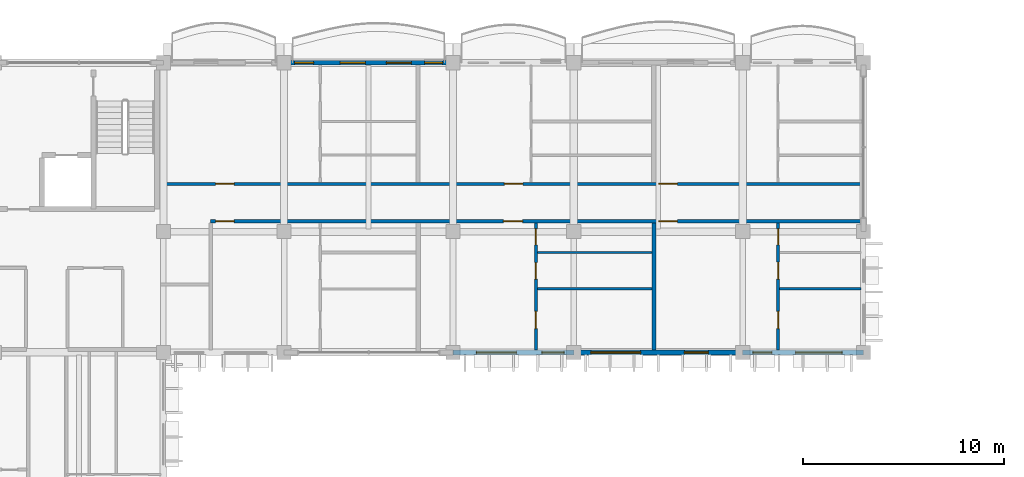
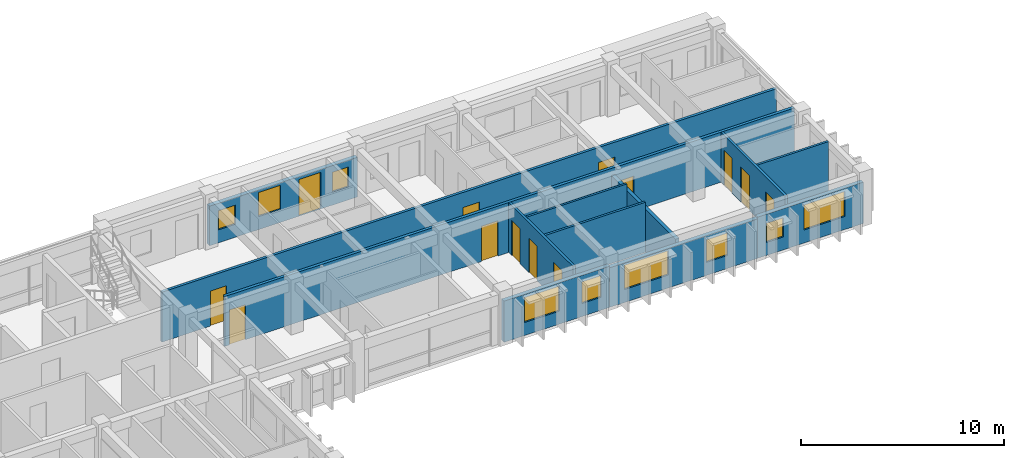
# One storey, part 35 of 79: 13 doors, 12 walls, 9 windows, 22 openings.
"""IFC4 building model written with IfcOpenShell, lengths in metres."""

from ifc_helpers import new_model, si_unit, direction, frame, frame_2d, origin, place, context, subcontext, project, spatial, rectangle, extrude, material, layer, layer_set, type_object, element, fill, save


model = new_model("IFC4")

# Units and contexts
model_context = context("Model", 3, precision=1e-05, world=origin(), true_north=direction((0.0, 1.0)))
body_context = subcontext(model_context, "Body", "Model", "MODEL_VIEW")
ifc_project = project(units=[si_unit("LENGTHUNIT", "METRE"), si_unit("AREAUNIT", "SQUARE_METRE"), si_unit("VOLUMEUNIT", "CUBIC_METRE"), si_unit("PLANEANGLEUNIT", "RADIAN"), si_unit("MASSUNIT", "GRAM", prefix="KILO"), si_unit("THERMODYNAMICTEMPERATUREUNIT", "KELVIN")], contexts=[model_context])

# Site, building, storey
site_placement = place(None, origin())
site = spatial("IfcSite", under=ifc_project, at=site_placement, CompositionType="ELEMENT")
building_placement = place(site_placement, origin())
building = spatial("IfcBuilding", under=site, at=building_placement, Name="Thalorik Housing Commons", CompositionType="ELEMENT")
storey_placement = place(building_placement, frame((0.0, 0.0, 11.39990234375)))
storey = spatial("IfcBuildingStorey", under=building, at=storey_placement, Name="L03", CompositionType="ELEMENT", Elevation=11.39990234375)

# Wall, openings, doors
ifc_material_1 = material(Name="Masonry fire-rated corridor wall", Category="masonry")
ifc_layer_1 = layer(ifc_material_1, 0.14990234375, Name="Masonry fire-rated corridor wall", Category="masonry")
ifc_layer_set_1 = layer_set([ifc_layer_1], Name="Masonry fire-rated corridor wall")
wall_type_1 = type_object("IfcWallType", Name="ARC-WAL-CORR-150", PredefinedType="PARTITIONING", material=ifc_layer_set_1)
wall_1_placement = place(storey_placement, frame((22.659912109375, 117.580078125, 0.0), z_axis=(0.0, 0.0, 1.0), x_axis=(1.0, 0.0, 0.0)))
wall_1 = element("IfcWall", 1, at=wall_1_placement, inside=storey, type_object=wall_type_1, Name="L03 Block A N Corridor Wall 2", PredefinedType="PARTITIONING", context=body_context, shape_type="SweptSolid", body=[
    extrude(rectangle(XDim=34.880126953125, YDim=0.14990234375, at=frame_2d((17.43994140625, 0.0))), origin(), (0.0, 0.0, 1.0), 3.0),
])
opening_1_placement = place(wall_1_placement, frame((2.739990234375, 0.0, 0.0)))
opening_1 = element("IfcOpeningElement", 2, at=opening_1_placement, cuts=wall_1, Name="Opening ID-0522", PredefinedType="OPENING", context=body_context, shape_type="SweptSolid", body=[
    extrude(rectangle(XDim=0.919921875, YDim=2.10009765625, at=frame_2d((0.4599609375, 1.050048828125))), frame((0.0, 0.0849609375, 0.0), z_axis=(0.0, -1.0, 0.0), x_axis=(1.0, 0.0, 0.0)), (0.0, 0.0, 1.0), 0.169921875),
])
opening_2_placement = place(wall_1_placement, frame((17.08544921875, 0.0, 0.0)))
opening_2 = element("IfcOpeningElement", 3, at=opening_2_placement, cuts=wall_1, Name="Opening ID-0523", PredefinedType="OPENING", context=body_context, shape_type="SweptSolid", body=[
    extrude(rectangle(XDim=0.919921875, YDim=2.10009765625, at=frame_2d((0.4599609375, 1.050048828125))), frame((0.0, 0.0849609375, 0.0), z_axis=(0.0, -1.0, 0.0), x_axis=(1.0, 0.0, 0.0)), (0.0, 0.0, 1.0), 0.169921875),
])
opening_3_placement = place(wall_1_placement, frame((24.77001953125, 0.0, 0.0)))
opening_3 = element("IfcOpeningElement", 4, at=opening_3_placement, cuts=wall_1, Name="Opening ID-0524", PredefinedType="OPENING", context=body_context, shape_type="SweptSolid", body=[
    extrude(rectangle(XDim=0.919921875, YDim=2.10009765625, at=frame_2d((0.4599609375, 1.050048828125))), frame((0.0, 0.0849609375, 0.0), z_axis=(0.0, -1.0, 0.0), x_axis=(1.0, 0.0, 0.0)), (0.0, 0.0, 1.0), 0.169921875),
])
ifc_material_2 = material(Name="Solid core hardwood timber", Category="wood")
door_type_1 = type_object("IfcDoorType", Name="ARC-DR-FD30-920", OperationType="NOTDEFINED", PredefinedType="DOOR", material=ifc_material_2)
door_1_placement = place(opening_1_placement, origin())
door_1 = element("IfcDoor", 5, at=door_1_placement, inside=storey, type_object=door_type_1, Name="L03 Flat AN-1B Entrance Door", OperationType="SINGLE_SWING_LEFT", OverallHeight=2.10009765625, OverallWidth=0.919921875, PredefinedType="DOOR", context=body_context, shape_type="SweptSolid", body=[
    extrude(rectangle(XDim=0.919921875, YDim=2.10009765625, at=frame_2d((0.4599609375, 1.050048828125))), frame((0.0, 0.02490234375, 0.0), z_axis=(0.0, -1.0, 0.0), x_axis=(1.0, 0.0, 0.0)), (0.0, 0.0, 1.0), 0.050048828125),
])
fill(opening_1, door_1)
door_2_placement = place(opening_2_placement, origin())
door_2 = element("IfcDoor", 6, at=door_2_placement, inside=storey, type_object=door_type_1, Name="L03 Flat AN-2B Entrance Door", OperationType="SINGLE_SWING_RIGHT", OverallHeight=2.10009765625, OverallWidth=0.919921875, PredefinedType="DOOR", context=body_context, shape_type="SweptSolid", body=[
    extrude(rectangle(XDim=0.919921875, YDim=2.10009765625, at=frame_2d((0.4599609375, 1.050048828125))), frame((0.0, 0.02490234375, 0.0), z_axis=(0.0, -1.0, 0.0), x_axis=(1.0, 0.0, 0.0)), (0.0, 0.0, 1.0), 0.050048828125),
])
fill(opening_2, door_2)
door_3_placement = place(opening_3_placement, origin())
door_3 = element("IfcDoor", 7, at=door_3_placement, inside=storey, type_object=door_type_1, Name="L03 Flat AN-3B Entrance Door", OperationType="SINGLE_SWING_LEFT", OverallHeight=2.10009765625, OverallWidth=0.919921875, PredefinedType="DOOR", context=body_context, shape_type="SweptSolid", body=[
    extrude(rectangle(XDim=0.919921875, YDim=2.10009765625, at=frame_2d((0.4599609375, 1.050048828125))), frame((0.0, 0.02490234375, 0.0), z_axis=(0.0, -1.0, 0.0), x_axis=(1.0, 0.0, 0.0)), (0.0, 0.0, 1.0), 0.050048828125),
])
fill(opening_3, door_3)

ifc_layer_2 = layer(ifc_material_1, 0.1650390625, Name="Masonry fire-rated corridor wall", Category="masonry")
ifc_layer_set_2 = layer_set([ifc_layer_2], Name="Masonry fire-rated corridor wall")
wall_type_2 = type_object("IfcWallType", Name="ARC-WAL-CORR-165", PredefinedType="PARTITIONING", material=ifc_layer_set_2)
wall_2_placement = place(storey_placement, frame((25.14990234375, 115.719970703125, 0.0), z_axis=(0.0, 0.0, 1.0), x_axis=(1.0, 0.0, 0.0)))
wall_2 = element("IfcWall", 8, at=wall_2_placement, inside=storey, type_object=wall_type_2, Name="L03 Block A N Corridor Wall 1", PredefinedType="PARTITIONING", context=body_context, shape_type="SweptSolid", body=[
    extrude(rectangle(XDim=32.33056640625, YDim=0.1650390625, at=frame_2d((16.165283203125, 0.0))), origin(), (0.0, 0.0, 1.0), 3.0),
])
opening_4_placement = place(wall_2_placement, frame((0.25, 0.0, 0.0)))
opening_4 = element("IfcOpeningElement", 9, at=opening_4_placement, cuts=wall_2, Name="Opening ID-0519", PredefinedType="OPENING", context=body_context, shape_type="SweptSolid", body=[
    extrude(rectangle(XDim=0.919921875, YDim=2.10009765625, at=frame_2d((0.4599609375, 1.050048828125))), frame((0.0, 0.092529296875, 0.0), z_axis=(0.0, -1.0, 0.0), x_axis=(1.0, 0.0, 0.0)), (0.0, 0.0, 1.0), 0.18505859375),
])
opening_5_placement = place(wall_2_placement, frame((14.547607421875, 0.0, 0.0)))
opening_5 = element("IfcOpeningElement", 10, at=opening_5_placement, cuts=wall_2, Name="Opening ID-0520", PredefinedType="OPENING", context=body_context, shape_type="SweptSolid", body=[
    extrude(rectangle(XDim=0.9599609375, YDim=2.1201171875, at=frame_2d((0.47998046875, 1.06005859375))), frame((0.0, 0.092529296875, 0.0), z_axis=(0.0, -1.0, 0.0), x_axis=(1.0, 0.0, 0.0)), (0.0, 0.0, 1.0), 0.18505859375),
])
opening_6_placement = place(wall_2_placement, frame((22.280029296875, 0.0, 0.0)))
opening_6 = element("IfcOpeningElement", 11, at=opening_6_placement, cuts=wall_2, Name="Opening ID-0521", PredefinedType="OPENING", context=body_context, shape_type="SweptSolid", body=[
    extrude(rectangle(XDim=0.919921875, YDim=2.10009765625, at=frame_2d((0.4599609375, 1.050048828125))), frame((0.0, 0.092529296875, 0.0), z_axis=(0.0, -1.0, 0.0), x_axis=(1.0, 0.0, 0.0)), (0.0, 0.0, 1.0), 0.18505859375),
])
door_4_placement = place(opening_4_placement, origin())
door_4 = element("IfcDoor", 12, at=door_4_placement, inside=storey, type_object=door_type_1, Name="L03 Flat AN-1A Entrance Door", OperationType="SINGLE_SWING_RIGHT", OverallHeight=2.10009765625, OverallWidth=0.919921875, PredefinedType="DOOR", context=body_context, shape_type="SweptSolid", body=[
    extrude(rectangle(XDim=0.919921875, YDim=2.10009765625, at=frame_2d((0.4599609375, 1.050048828125))), frame((0.0, 0.02490234375, 0.0), z_axis=(0.0, -1.0, 0.0), x_axis=(1.0, 0.0, 0.0)), (0.0, 0.0, 1.0), 0.050048828125),
])
fill(opening_4, door_4)
door_5_placement = place(opening_6_placement, origin())
door_5 = element("IfcDoor", 13, at=door_5_placement, inside=storey, type_object=door_type_1, Name="L03 Flat AN-3A Entrance Door", OperationType="SINGLE_SWING_RIGHT", OverallHeight=2.10009765625, OverallWidth=0.919921875, PredefinedType="DOOR", context=body_context, shape_type="SweptSolid", body=[
    extrude(rectangle(XDim=0.919921875, YDim=2.10009765625, at=frame_2d((0.4599609375, 1.050048828125))), frame((0.0, 0.02490234375, 0.0), z_axis=(0.0, -1.0, 0.0), x_axis=(1.0, 0.0, 0.0)), (0.0, 0.0, 1.0), 0.050048828125),
])
fill(opening_6, door_5)
door_type_2 = type_object("IfcDoorType", Name="ARC-DR-FD30-960", OperationType="NOTDEFINED", PredefinedType="DOOR", material=ifc_material_2)
door_6_placement = place(opening_5_placement, origin())
door_6 = element("IfcDoor", 14, at=door_6_placement, inside=storey, type_object=door_type_2, Name="L03 Flat AN-2A Entrance Door", OperationType="SINGLE_SWING_LEFT", OverallHeight=2.1201171875, OverallWidth=0.9599609375, PredefinedType="DOOR", context=body_context, shape_type="SweptSolid", body=[
    extrude(rectangle(XDim=0.9599609375, YDim=2.1201171875, at=frame_2d((0.47998046875, 1.06005859375))), frame((0.0, 0.02490234375, 0.0), z_axis=(0.0, -1.0, 0.0), x_axis=(1.0, 0.0, 0.0)), (0.0, 0.0, 1.0), 0.050048828125),
])
fill(opening_5, door_6)

# Wall, openings, windows
ifc_material_3 = material(Name="White precast concrete C40/50", Category="concrete")
ifc_layer_3 = layer(ifc_material_3, 0.235107421875, Name="White precast concrete C40/50", Category="concrete")
ifc_layer_set_3 = layer_set([ifc_layer_3], Name="White precast concrete C40/50")
wall_type_3 = type_object("IfcWallType", Name="ARC-WAL-EXT-235", PredefinedType="STANDARD", material=ifc_layer_set_3)
wall_3_placement = place(storey_placement, frame((37.199951171875, 109.199951171875, 0.0), z_axis=(0.0, 0.0, 1.0), x_axis=(1.0, 0.0, 0.0)))
wall_3 = element("IfcWall", 15, at=wall_3_placement, inside=storey, type_object=wall_type_3, Name="L03 Exterior Wall WAL-EXT-L03-A-0087", PredefinedType="STANDARD", context=body_context, shape_type="SweptSolid", body=[
    extrude(rectangle(XDim=6.0, YDim=0.235107421875, at=frame_2d((3.0, 0.0))), origin(), (0.0, 0.0, 1.0), 2.47509765625),
])
opening_7_placement = place(wall_3_placement, frame((1.1650390625, 0.0, 0.780029296875)))
opening_7 = element("IfcOpeningElement", 16, at=opening_7_placement, cuts=wall_3, Name="Opening W-61", PredefinedType="OPENING", context=body_context, shape_type="SweptSolid", body=[
    extrude(rectangle(XDim=1.97998046875, YDim=1.5, at=frame_2d((0.989990234375, 0.75))), frame((0.0, 0.12744140625, 0.0), z_axis=(0.0, -1.0, 0.0), x_axis=(1.0, 0.0, 0.0)), (0.0, 0.0, 1.0), 0.255126953125),
])
opening_8_placement = place(wall_3_placement, frame((4.4150390625, 0.0, 0.780029296875)))
opening_8 = element("IfcOpeningElement", 17, at=opening_8_placement, cuts=wall_3, Name="Opening W-03", PredefinedType="OPENING", context=body_context, shape_type="SweptSolid", body=[
    extrude(rectangle(XDim=1.10009765625, YDim=1.300048828125, at=frame_2d((0.550048828125, 0.64990234375))), frame((0.0, 0.12744140625, 0.0), z_axis=(0.0, -1.0, 0.0), x_axis=(1.0, 0.0, 0.0)), (0.0, 0.0, 1.0), 0.255126953125),
])
ifc_material_4 = material(Name="Anodised aluminium and solar-control low-E glass", Category="aluminium")
window_type_1 = type_object("IfcWindowType", Name="ARC-WIN-03", PartitioningType="SINGLE_PANEL", PredefinedType="WINDOW", material=ifc_material_4)
window_1_placement = place(opening_8_placement, origin())
window_1 = element("IfcWindow", 18, at=window_1_placement, inside=storey, type_object=window_type_1, Name="L03 Facade Window 156", OverallHeight=1.300048828125, OverallWidth=1.10009765625, PartitioningType="SINGLE_PANEL", PredefinedType="WINDOW", context=body_context, shape_type="SweptSolid", body=[
    extrude(rectangle(XDim=1.10009765625, YDim=1.300048828125, at=frame_2d((0.550048828125, 0.64990234375))), frame((0.0, 0.030029296875, 0.0), z_axis=(0.0, -1.0, 0.0), x_axis=(1.0, 0.0, 0.0)), (0.0, 0.0, 1.0), 0.06005859375),
])
fill(opening_8, window_1)
window_type_2 = type_object("IfcWindowType", Name="ARC-WIN-61", PartitioningType="DOUBLE_PANEL_VERTICAL", PredefinedType="WINDOW", material=ifc_material_4)
window_2_placement = place(opening_7_placement, origin())
window_2 = element("IfcWindow", 19, at=window_2_placement, inside=storey, type_object=window_type_2, Name="L03 Facade Window 155", OverallHeight=1.5, OverallWidth=1.97998046875, PartitioningType="DOUBLE_PANEL_VERTICAL", PredefinedType="WINDOW", context=body_context, shape_type="SweptSolid", body=[
    extrude(rectangle(XDim=1.97998046875, YDim=1.5, at=frame_2d((0.989990234375, 0.75))), frame((0.0, 0.030029296875, 0.0), z_axis=(0.0, -1.0, 0.0), x_axis=(1.0, 0.0, 0.0)), (0.0, 0.0, 1.0), 0.06005859375),
])
fill(opening_7, window_2)

wall_4_placement = place(storey_placement, frame((43.199951171875, 109.199951171875, 0.0), z_axis=(0.0, 0.0, 1.0), x_axis=(1.0, 0.0, 0.0)))
wall_4 = element("IfcWall", 20, at=wall_4_placement, inside=storey, type_object=wall_type_3, Name="L03 Exterior Wall WAL-EXT-L03-A-0088", PredefinedType="STANDARD", context=body_context, shape_type="SweptSolid", body=[
    extrude(rectangle(XDim=8.400146484375, YDim=0.235107421875, at=frame_2d((4.2001953125, 0.0))), origin(), (0.0, 0.0, 1.0), 2.375),
])
opening_9_placement = place(wall_4_placement, frame((0.844970703125, 0.0, 0.780029296875)))
opening_9 = element("IfcOpeningElement", 21, at=opening_9_placement, cuts=wall_4, Name="Opening W-71", PredefinedType="OPENING", context=body_context, shape_type="SweptSolid", body=[
    extrude(rectangle(XDim=2.47998046875, YDim=1.4599609375, at=frame_2d((1.239990234375, 0.72998046875))), frame((0.0, 0.12744140625, 0.0), z_axis=(0.0, -1.0, 0.0), x_axis=(1.0, 0.0, 0.0)), (0.0, 0.0, 1.0), 0.255126953125),
])
opening_10_placement = place(wall_4_placement, frame((5.4951171875, 0.0, 0.780029296875)))
opening_10 = element("IfcOpeningElement", 22, at=opening_10_placement, cuts=wall_4, Name="Opening W-04", PredefinedType="OPENING", context=body_context, shape_type="SweptSolid", body=[
    extrude(rectangle(XDim=1.199951171875, YDim=1.35009765625, at=frame_2d((0.60009765625, 0.675048828125))), frame((0.0, 0.12744140625, 0.0), z_axis=(0.0, -1.0, 0.0), x_axis=(1.0, 0.0, 0.0)), (0.0, 0.0, 1.0), 0.255126953125),
])
window_type_3 = type_object("IfcWindowType", Name="ARC-WIN-04", PartitioningType="SINGLE_PANEL", PredefinedType="WINDOW", material=ifc_material_4)
window_3_placement = place(opening_10_placement, origin())
window_3 = element("IfcWindow", 23, at=window_3_placement, inside=storey, type_object=window_type_3, Name="L03 Facade Window 158", OverallHeight=1.35009765625, OverallWidth=1.199951171875, PartitioningType="SINGLE_PANEL", PredefinedType="WINDOW", context=body_context, shape_type="SweptSolid", body=[
    extrude(rectangle(XDim=1.199951171875, YDim=1.35009765625, at=frame_2d((0.60009765625, 0.675048828125))), frame((0.0, 0.030029296875, 0.0), z_axis=(0.0, -1.0, 0.0), x_axis=(1.0, 0.0, 0.0)), (0.0, 0.0, 1.0), 0.06005859375),
])
fill(opening_10, window_3)
window_type_4 = type_object("IfcWindowType", Name="ARC-WIN-71", PartitioningType="DOUBLE_PANEL_VERTICAL", PredefinedType="WINDOW", material=ifc_material_4)
window_4_placement = place(opening_9_placement, origin())
window_4 = element("IfcWindow", 24, at=window_4_placement, inside=storey, type_object=window_type_4, Name="L03 Facade Window 157", OverallHeight=1.4599609375, OverallWidth=2.47998046875, PartitioningType="DOUBLE_PANEL_VERTICAL", PredefinedType="WINDOW", context=body_context, shape_type="SweptSolid", body=[
    extrude(rectangle(XDim=2.47998046875, YDim=1.4599609375, at=frame_2d((1.239990234375, 0.72998046875))), frame((0.0, 0.030029296875, 0.0), z_axis=(0.0, -1.0, 0.0), x_axis=(1.0, 0.0, 0.0)), (0.0, 0.0, 1.0), 0.06005859375),
])
fill(opening_9, window_4)

wall_5_placement = place(storey_placement, frame((51.60009765625, 109.199951171875, 0.0), z_axis=(0.0, 0.0, 1.0), x_axis=(1.0, 0.0, 0.0)))
wall_5 = element("IfcWall", 25, at=wall_5_placement, inside=storey, type_object=wall_type_3, Name="L03 Exterior Wall WAL-EXT-L03-A-0089", PredefinedType="STANDARD", context=body_context, shape_type="SweptSolid", body=[
    extrude(rectangle(XDim=6.0, YDim=0.235107421875, at=frame_2d((3.0, 0.0))), origin(), (0.0, 0.0, 1.0), 2.47509765625),
])
opening_11_placement = place(wall_5_placement, frame((0.5, 0.0, 0.780029296875)))
opening_11 = element("IfcOpeningElement", 26, at=opening_11_placement, cuts=wall_5, Name="Opening W-43", PredefinedType="OPENING", context=body_context, shape_type="SweptSolid", body=[
    extrude(rectangle(XDim=0.949951171875, YDim=1.14990234375, at=frame_2d((0.47509765625, 0.574951171875))), frame((0.0, 0.12744140625, 0.0), z_axis=(0.0, -1.0, 0.0), x_axis=(1.0, 0.0, 0.0)), (0.0, 0.0, 1.0), 0.255126953125),
])
opening_12_placement = place(wall_5_placement, frame((2.625, 0.0, 0.780029296875)))
opening_12 = element("IfcOpeningElement", 27, at=opening_12_placement, cuts=wall_5, Name="Opening W-68", PredefinedType="OPENING", context=body_context, shape_type="SweptSolid", body=[
    extrude(rectangle(XDim=2.320068359375, YDim=1.5, at=frame_2d((1.16015625, 0.75))), frame((0.0, 0.12744140625, 0.0), z_axis=(0.0, -1.0, 0.0), x_axis=(1.0, 0.0, 0.0)), (0.0, 0.0, 1.0), 0.255126953125),
])
window_type_5 = type_object("IfcWindowType", Name="ARC-WIN-43", PartitioningType="SINGLE_PANEL", PredefinedType="WINDOW", material=ifc_material_4)
window_5_placement = place(opening_11_placement, origin())
window_5 = element("IfcWindow", 28, at=window_5_placement, inside=storey, type_object=window_type_5, Name="L03 Facade Window 159", OverallHeight=1.14990234375, OverallWidth=0.949951171875, PartitioningType="SINGLE_PANEL", PredefinedType="WINDOW", context=body_context, shape_type="SweptSolid", body=[
    extrude(rectangle(XDim=0.949951171875, YDim=1.14990234375, at=frame_2d((0.47509765625, 0.574951171875))), frame((0.0, 0.030029296875, 0.0), z_axis=(0.0, -1.0, 0.0), x_axis=(1.0, 0.0, 0.0)), (0.0, 0.0, 1.0), 0.06005859375),
])
fill(opening_11, window_5)
window_type_6 = type_object("IfcWindowType", Name="ARC-WIN-68", PartitioningType="DOUBLE_PANEL_VERTICAL", PredefinedType="WINDOW", material=ifc_material_4)
window_6_placement = place(opening_12_placement, origin())
window_6 = element("IfcWindow", 29, at=window_6_placement, inside=storey, type_object=window_type_6, Name="L03 Facade Window 160", OverallHeight=1.5, OverallWidth=2.320068359375, PartitioningType="DOUBLE_PANEL_VERTICAL", PredefinedType="WINDOW", context=body_context, shape_type="SweptSolid", body=[
    extrude(rectangle(XDim=2.320068359375, YDim=1.5, at=frame_2d((1.16015625, 0.75))), frame((0.0, 0.030029296875, 0.0), z_axis=(0.0, -1.0, 0.0), x_axis=(1.0, 0.0, 0.0)), (0.0, 0.0, 1.0), 0.06005859375),
])
fill(opening_12, window_6)

# Wall, openings, door, windows
wall_6_placement = place(storey_placement, frame((37.199951171875, 123.60009765625, 0.0), z_axis=(0.0, 0.0, 1.0), x_axis=(-1.0, 0.0, 0.0)))
wall_6 = element("IfcWall", 30, at=wall_6_placement, inside=storey, type_object=wall_type_3, Name="L03 Exterior Wall WAL-EXT-L03-A-0095", PredefinedType="STANDARD", context=body_context, shape_type="SweptSolid", body=[
    extrude(rectangle(XDim=8.39990234375, YDim=0.235107421875, at=frame_2d((4.199951171875, 0.0))), origin(), (0.0, 0.0, 1.0), 2.375),
])
opening_13_placement = place(wall_6_placement, frame((2.070068359375, 0.0, 0.0)))
opening_13 = element("IfcOpeningElement", 31, at=opening_13_placement, cuts=wall_6, Name="Opening ED-0023", PredefinedType="OPENING", context=body_context, shape_type="SweptSolid", body=[
    extrude(rectangle(XDim=1.25, YDim=2.199951171875, at=frame_2d((0.625, 1.10009765625))), frame((0.0, 0.12744140625, 0.0), z_axis=(0.0, -1.0, 0.0), x_axis=(1.0, 0.0, 0.0)), (0.0, 0.0, 1.0), 0.255126953125),
])
opening_14_placement = place(wall_6_placement, frame((0.514892578125, 0.0, 0.780029296875)))
opening_14 = element("IfcOpeningElement", 32, at=opening_14_placement, cuts=wall_6, Name="Opening W-01", PredefinedType="OPENING", context=body_context, shape_type="SweptSolid", body=[
    extrude(rectangle(XDim=0.89990234375, YDim=1.199951171875, at=frame_2d((0.449951171875, 0.60009765625))), frame((0.0, 0.12744140625, 0.0), z_axis=(0.0, -1.0, 0.0), x_axis=(1.0, 0.0, 0.0)), (0.0, 0.0, 1.0), 0.255126953125),
])
opening_15_placement = place(wall_6_placement, frame((4.360595703125, 0.0, 0.780029296875)))
opening_15 = element("IfcOpeningElement", 33, at=opening_15_placement, cuts=wall_6, Name="Opening W-47", PredefinedType="OPENING", context=body_context, shape_type="SweptSolid", body=[
    extrude(rectangle(XDim=1.25, YDim=1.449951171875, at=frame_2d((0.625, 0.72509765625))), frame((0.0, 0.12744140625, 0.0), z_axis=(0.0, -1.0, 0.0), x_axis=(1.0, 0.0, 0.0)), (0.0, 0.0, 1.0), 0.255126953125),
])
opening_16_placement = place(wall_6_placement, frame((6.9306640625, 0.0, 0.780029296875)))
opening_16 = element("IfcOpeningElement", 34, at=opening_16_placement, cuts=wall_6, Name="Opening W-43", PredefinedType="OPENING", context=body_context, shape_type="SweptSolid", body=[
    extrude(rectangle(XDim=0.949951171875, YDim=1.14990234375, at=frame_2d((0.47509765625, 0.574951171875))), frame((0.0, 0.12744140625, 0.0), z_axis=(0.0, -1.0, 0.0), x_axis=(1.0, 0.0, 0.0)), (0.0, 0.0, 1.0), 0.255126953125),
])
ifc_material_5 = material(Name="Anodised aluminium and laminated safety glass", Category="aluminium")
door_type_3 = type_object("IfcDoorType", Name="ARC-DR-BAL-1250", OperationType="NOTDEFINED", PredefinedType="DOOR", material=ifc_material_5)
door_7_placement = place(opening_13_placement, frame((1.25, 0.0, 0.0), z_axis=(0.0, 0.0, 1.0), x_axis=(-1.0, 0.0, 0.0)))
door_7 = element("IfcDoor", 35, at=door_7_placement, inside=storey, type_object=door_type_3, Name="L03 Block A Balcony Glazed Door", OperationType="SINGLE_SWING_RIGHT", OverallHeight=2.199951171875, OverallWidth=1.25, PredefinedType="DOOR", context=body_context, shape_type="SweptSolid", body=[
    extrude(rectangle(XDim=1.25, YDim=2.199951171875, at=frame_2d((0.625, 1.10009765625))), frame((0.0, 0.02490234375, 0.0), z_axis=(0.0, -1.0, 0.0), x_axis=(1.0, 0.0, 0.0)), (0.0, 0.0, 1.0), 0.050048828125),
])
fill(opening_13, door_7)
window_type_7 = type_object("IfcWindowType", Name="ARC-WIN-01", PartitioningType="SINGLE_PANEL", PredefinedType="WINDOW", material=ifc_material_4)
window_7_placement = place(opening_14_placement, origin())
window_7 = element("IfcWindow", 36, at=window_7_placement, inside=storey, type_object=window_type_7, Name="L03 Facade Window 169", OverallHeight=1.199951171875, OverallWidth=0.89990234375, PartitioningType="SINGLE_PANEL", PredefinedType="WINDOW", context=body_context, shape_type="SweptSolid", body=[
    extrude(rectangle(XDim=0.89990234375, YDim=1.199951171875, at=frame_2d((0.449951171875, 0.60009765625))), frame((0.0, 0.030029296875, 0.0), z_axis=(0.0, -1.0, 0.0), x_axis=(1.0, 0.0, 0.0)), (0.0, 0.0, 1.0), 0.06005859375),
])
fill(opening_14, window_7)
window_8_placement = place(opening_16_placement, origin())
window_8 = element("IfcWindow", 37, at=window_8_placement, inside=storey, type_object=window_type_5, Name="L03 Facade Window 171", OverallHeight=1.14990234375, OverallWidth=0.949951171875, PartitioningType="SINGLE_PANEL", PredefinedType="WINDOW", context=body_context, shape_type="SweptSolid", body=[
    extrude(rectangle(XDim=0.949951171875, YDim=1.14990234375, at=frame_2d((0.47509765625, 0.574951171875))), frame((0.0, 0.030029296875, 0.0), z_axis=(0.0, -1.0, 0.0), x_axis=(1.0, 0.0, 0.0)), (0.0, 0.0, 1.0), 0.06005859375),
])
fill(opening_16, window_8)
window_type_8 = type_object("IfcWindowType", Name="ARC-WIN-47", PartitioningType="SINGLE_PANEL", PredefinedType="WINDOW", material=ifc_material_4)
window_9_placement = place(opening_15_placement, origin())
window_9 = element("IfcWindow", 38, at=window_9_placement, inside=storey, type_object=window_type_8, Name="L03 Facade Window 170", OverallHeight=1.449951171875, OverallWidth=1.25, PartitioningType="SINGLE_PANEL", PredefinedType="WINDOW", context=body_context, shape_type="SweptSolid", body=[
    extrude(rectangle(XDim=1.25, YDim=1.449951171875, at=frame_2d((0.625, 0.72509765625))), frame((0.0, 0.030029296875, 0.0), z_axis=(0.0, -1.0, 0.0), x_axis=(1.0, 0.0, 0.0)), (0.0, 0.0, 1.0), 0.06005859375),
])
fill(opening_15, window_9)

# Walls
ifc_material_6 = material(Name="Gypsum moisture-resistant partition", Category="masonry")
ifc_layer_4 = layer(ifc_material_6, 0.114990234375, Name="Gypsum moisture-resistant partition", Category="masonry")
ifc_layer_set_4 = layer_set([ifc_layer_4], Name="Gypsum moisture-resistant partition")
wall_type_4 = type_object("IfcWallType", Name="ARC-WAL-PART-115", PredefinedType="PARTITIONING", material=ifc_layer_set_4)
wall_7_placement = place(storey_placement, frame((41.39208984375, 114.169677734375, 0.0), z_axis=(0.0, 0.0, 1.0), x_axis=(1.0, 0.0, 0.0)))
element("IfcWall", 39, at=wall_7_placement, inside=storey, type_object=wall_type_4, Name="L03 Unit 2 Wet Wall", PredefinedType="PARTITIONING", context=body_context, shape_type="SweptSolid", body=[
    extrude(rectangle(XDim=5.685791015625, YDim=0.114990234375, at=frame_2d((2.8427734375, 0.0))), origin(), (0.0, 0.0, 1.0), 3.0),
])
ifc_material_7 = material(Name="Gypsum acoustic stud partition", Category="masonry")
ifc_layer_5 = layer(ifc_material_7, 0.125, Name="Gypsum acoustic stud partition", Category="masonry")
ifc_layer_set_5 = layer_set([ifc_layer_5], Name="Gypsum acoustic stud partition")
wall_type_5 = type_object("IfcWallType", Name="ARC-WAL-PART-125", PredefinedType="PARTITIONING", material=ifc_layer_set_5)
wall_8_placement = place(storey_placement, frame((41.39208984375, 112.36083984375, 0.0), z_axis=(0.0, 0.0, 1.0), x_axis=(1.0, 0.0, 0.0)))
element("IfcWall", 40, at=wall_8_placement, inside=storey, type_object=wall_type_5, Name="L03 Unit 2 Bedroom Partition", PredefinedType="PARTITIONING", context=body_context, shape_type="SweptSolid", body=[
    extrude(rectangle(XDim=5.685791015625, YDim=0.125, at=frame_2d((2.8427734375, 0.0))), origin(), (0.0, 0.0, 1.0), 3.0),
])
wall_9_placement = place(storey_placement, frame((53.431884765625, 112.36083984375, 0.0), z_axis=(0.0, 0.0, 1.0), x_axis=(1.0, 0.0, 0.0)))
element("IfcWall", 41, at=wall_9_placement, inside=storey, type_object=wall_type_5, Name="L03 Unit 3 Bedroom Partition", PredefinedType="PARTITIONING", context=body_context, shape_type="SweptSolid", body=[
    extrude(rectangle(XDim=4.048583984375, YDim=0.125, at=frame_2d((2.0244140625, 0.0))), origin(), (0.0, 0.0, 1.0), 3.0),
])

# Wall, openings, doors
ifc_material_8 = material(Name="Ceramic masonry partition wall", Category="masonry")
ifc_layer_6 = layer(ifc_material_8, 0.139892578125, Name="Ceramic masonry partition wall", Category="masonry")
ifc_layer_set_6 = layer_set([ifc_layer_6], Name="Ceramic masonry partition wall")
wall_type_6 = type_object("IfcWallType", Name="ARC-WAL-PART-140", PredefinedType="PARTITIONING", material=ifc_layer_set_6)
wall_10_placement = place(storey_placement, frame((41.320068359375, 109.319580078125, 0.0), z_axis=(0.0, 0.0, 1.0), x_axis=(0.0, 1.0, 0.0)))
wall_10 = element("IfcWall", 42, at=wall_10_placement, inside=storey, type_object=wall_type_6, Name="L03 Unit 2 Spine Partition", PredefinedType="PARTITIONING", context=body_context, shape_type="SweptSolid", body=[
    extrude(rectangle(XDim=6.31591796875, YDim=0.139892578125, at=frame_2d((3.157958984375, 0.0))), origin(), (0.0, 0.0, 1.0), 3.0),
])
opening_17_placement = place(wall_10_placement, frame((1.06591796875, 0.0, 0.0)))
opening_17 = element("IfcOpeningElement", 43, at=opening_17_placement, cuts=wall_10, Name="Opening ID-0507", PredefinedType="OPENING", context=body_context, shape_type="SweptSolid", body=[
    extrude(rectangle(XDim=0.85009765625, YDim=2.10009765625, at=frame_2d((0.425048828125, 1.050048828125))), frame((0.0, 0.080078125, 0.0), z_axis=(0.0, -1.0, 0.0), x_axis=(1.0, 0.0, 0.0)), (0.0, 0.0, 1.0), 0.159912109375),
])
opening_18_placement = place(wall_10_placement, frame((3.520751953125, 0.0, 0.0)))
opening_18 = element("IfcOpeningElement", 44, at=opening_18_placement, cuts=wall_10, Name="Opening ID-0508", PredefinedType="OPENING", context=body_context, shape_type="SweptSolid", body=[
    extrude(rectangle(XDim=0.820068359375, YDim=2.080078125, at=frame_2d((0.41015625, 1.0400390625))), frame((0.0, 0.080078125, 0.0), z_axis=(0.0, -1.0, 0.0), x_axis=(1.0, 0.0, 0.0)), (0.0, 0.0, 1.0), 0.159912109375),
])
opening_19_placement = place(wall_10_placement, frame((5.225341796875, 0.0, 0.0)))
opening_19 = element("IfcOpeningElement", 45, at=opening_19_placement, cuts=wall_10, Name="Opening ID-0509", PredefinedType="OPENING", context=body_context, shape_type="SweptSolid", body=[
    extrude(rectangle(XDim=0.800048828125, YDim=2.10009765625, at=frame_2d((0.39990234375, 1.050048828125))), frame((0.0, 0.080078125, 0.0), z_axis=(0.0, -1.0, 0.0), x_axis=(1.0, 0.0, 0.0)), (0.0, 0.0, 1.0), 0.159912109375),
])
ifc_material_9 = material(Name="Moisture-resistant timber", Category="wood")
door_type_4 = type_object("IfcDoorType", Name="ARC-DR-INT-800", OperationType="NOTDEFINED", PredefinedType="DOOR", material=ifc_material_9)
door_8_placement = place(opening_19_placement, origin())
door_8 = element("IfcDoor", 46, at=door_8_placement, inside=storey, type_object=door_type_4, Name="L03 Flat Bathroom Door", OperationType="SINGLE_SWING_RIGHT", OverallHeight=2.10009765625, OverallWidth=0.800048828125, PredefinedType="DOOR", context=body_context, shape_type="SweptSolid", body=[
    extrude(rectangle(XDim=0.800048828125, YDim=2.10009765625, at=frame_2d((0.39990234375, 1.050048828125))), frame((0.0, 0.02490234375, 0.0), z_axis=(0.0, -1.0, 0.0), x_axis=(1.0, 0.0, 0.0)), (0.0, 0.0, 1.0), 0.050048828125),
])
fill(opening_19, door_8)
ifc_material_10 = material(Name="Engineered oak timber", Category="wood")
door_type_5 = type_object("IfcDoorType", Name="ARC-DR-INT-820", OperationType="NOTDEFINED", PredefinedType="DOOR", material=ifc_material_10)
door_9_placement = place(opening_18_placement, origin())
door_9 = element("IfcDoor", 47, at=door_9_placement, inside=storey, type_object=door_type_5, Name="L03 Galley Kitchen Door", OperationType="SINGLE_SWING_LEFT", OverallHeight=2.080078125, OverallWidth=0.820068359375, PredefinedType="DOOR", context=body_context, shape_type="SweptSolid", body=[
    extrude(rectangle(XDim=0.820068359375, YDim=2.080078125, at=frame_2d((0.41015625, 1.0400390625))), frame((0.0, 0.02490234375, 0.0), z_axis=(0.0, -1.0, 0.0), x_axis=(1.0, 0.0, 0.0)), (0.0, 0.0, 1.0), 0.050048828125),
])
fill(opening_18, door_9)
door_type_6 = type_object("IfcDoorType", Name="ARC-DR-INT-850", OperationType="NOTDEFINED", PredefinedType="DOOR", material=ifc_material_10)
door_10_placement = place(opening_17_placement, origin())
door_10 = element("IfcDoor", 48, at=door_10_placement, inside=storey, type_object=door_type_6, Name="L03 Single Bedroom Door", OperationType="SINGLE_SWING_RIGHT", OverallHeight=2.10009765625, OverallWidth=0.85009765625, PredefinedType="DOOR", context=body_context, shape_type="SweptSolid", body=[
    extrude(rectangle(XDim=0.85009765625, YDim=2.10009765625, at=frame_2d((0.425048828125, 1.050048828125))), frame((0.0, 0.02490234375, 0.0), z_axis=(0.0, -1.0, 0.0), x_axis=(1.0, 0.0, 0.0)), (0.0, 0.0, 1.0), 0.050048828125),
])
fill(opening_17, door_10)

wall_11_placement = place(storey_placement, frame((53.360107421875, 109.319580078125, 0.0), z_axis=(0.0, 0.0, 1.0), x_axis=(0.0, 1.0, 0.0)))
wall_11 = element("IfcWall", 49, at=wall_11_placement, inside=storey, type_object=wall_type_6, Name="L03 Unit 3 Spine Partition", PredefinedType="PARTITIONING", context=body_context, shape_type="SweptSolid", body=[
    extrude(rectangle(XDim=6.31591796875, YDim=0.139892578125, at=frame_2d((3.157958984375, 0.0))), origin(), (0.0, 0.0, 1.0), 3.0),
])
opening_20_placement = place(wall_11_placement, frame((1.06591796875, 0.0, 0.0)))
opening_20 = element("IfcOpeningElement", 50, at=opening_20_placement, cuts=wall_11, Name="Opening ID-0513", PredefinedType="OPENING", context=body_context, shape_type="SweptSolid", body=[
    extrude(rectangle(XDim=0.85009765625, YDim=2.10009765625, at=frame_2d((0.425048828125, 1.050048828125))), frame((0.0, 0.080078125, 0.0), z_axis=(0.0, -1.0, 0.0), x_axis=(1.0, 0.0, 0.0)), (0.0, 0.0, 1.0), 0.159912109375),
])
opening_21_placement = place(wall_11_placement, frame((3.520751953125, 0.0, 0.0)))
opening_21 = element("IfcOpeningElement", 51, at=opening_21_placement, cuts=wall_11, Name="Opening ID-0514", PredefinedType="OPENING", context=body_context, shape_type="SweptSolid", body=[
    extrude(rectangle(XDim=0.85009765625, YDim=2.10009765625, at=frame_2d((0.425048828125, 1.050048828125))), frame((0.0, 0.080078125, 0.0), z_axis=(0.0, -1.0, 0.0), x_axis=(1.0, 0.0, 0.0)), (0.0, 0.0, 1.0), 0.159912109375),
])
opening_22_placement = place(wall_11_placement, frame((5.225341796875, 0.0, 0.0)))
opening_22 = element("IfcOpeningElement", 52, at=opening_22_placement, cuts=wall_11, Name="Opening ID-0515", PredefinedType="OPENING", context=body_context, shape_type="SweptSolid", body=[
    extrude(rectangle(XDim=0.800048828125, YDim=2.10009765625, at=frame_2d((0.39990234375, 1.050048828125))), frame((0.0, 0.080078125, 0.0), z_axis=(0.0, -1.0, 0.0), x_axis=(1.0, 0.0, 0.0)), (0.0, 0.0, 1.0), 0.159912109375),
])
door_11_placement = place(opening_22_placement, origin())
door_11 = element("IfcDoor", 53, at=door_11_placement, inside=storey, type_object=door_type_4, Name="L03 Accessible Bathroom Door", OperationType="SINGLE_SWING_RIGHT", OverallHeight=2.10009765625, OverallWidth=0.800048828125, PredefinedType="DOOR", context=body_context, shape_type="SweptSolid", body=[
    extrude(rectangle(XDim=0.800048828125, YDim=2.10009765625, at=frame_2d((0.39990234375, 1.050048828125))), frame((0.0, 0.02490234375, 0.0), z_axis=(0.0, -1.0, 0.0), x_axis=(1.0, 0.0, 0.0)), (0.0, 0.0, 1.0), 0.050048828125),
])
fill(opening_22, door_11)
door_12_placement = place(opening_20_placement, origin())
door_12 = element("IfcDoor", 54, at=door_12_placement, inside=storey, type_object=door_type_6, Name="L03 Double Bedroom Door", OperationType="SINGLE_SWING_RIGHT", OverallHeight=2.10009765625, OverallWidth=0.85009765625, PredefinedType="DOOR", context=body_context, shape_type="SweptSolid", body=[
    extrude(rectangle(XDim=0.85009765625, YDim=2.10009765625, at=frame_2d((0.425048828125, 1.050048828125))), frame((0.0, 0.02490234375, 0.0), z_axis=(0.0, -1.0, 0.0), x_axis=(1.0, 0.0, 0.0)), (0.0, 0.0, 1.0), 0.050048828125),
])
fill(opening_20, door_12)
door_13_placement = place(opening_21_placement, origin())
door_13 = element("IfcDoor", 55, at=door_13_placement, inside=storey, type_object=door_type_6, Name="L03 Galley Kitchen Door", OperationType="SINGLE_SWING_LEFT", OverallHeight=2.10009765625, OverallWidth=0.85009765625, PredefinedType="DOOR", context=body_context, shape_type="SweptSolid", body=[
    extrude(rectangle(XDim=0.85009765625, YDim=2.10009765625, at=frame_2d((0.425048828125, 1.050048828125))), frame((0.0, 0.02490234375, 0.0), z_axis=(0.0, -1.0, 0.0), x_axis=(1.0, 0.0, 0.0)), (0.0, 0.0, 1.0), 0.050048828125),
])
fill(opening_21, door_13)

# Wall
ifc_material_11 = material(Name="Precast concrete C40/50 acoustic wall", Category="concrete")
ifc_layer_7 = layer(ifc_material_11, 0.199951171875, Name="Precast concrete C40/50 acoustic wall", Category="concrete")
ifc_layer_set_7 = layer_set([ifc_layer_7], Name="Precast concrete C40/50 acoustic wall")
wall_type_7 = type_object("IfcWallType", Name="ARC-WAL-PARTY-200", PredefinedType="PARTITIONING", material=ifc_layer_set_7)
wall_12_placement = place(storey_placement, frame((47.179931640625, 109.319580078125, 0.0), z_axis=(0.0, 0.0, 1.0), x_axis=(0.0, 1.0, 0.0)))
element("IfcWall", 56, at=wall_12_placement, inside=storey, type_object=wall_type_7, Name="L03 Inter-Tenancy Wall 2A", PredefinedType="PARTITIONING", context=body_context, shape_type="SweptSolid", body=[
    extrude(rectangle(XDim=6.31591796875, YDim=0.199951171875, at=frame_2d((3.157958984375, 0.0))), origin(), (0.0, 0.0, 1.0), 2.585205078125),
])

save(model, "model.ifc")
